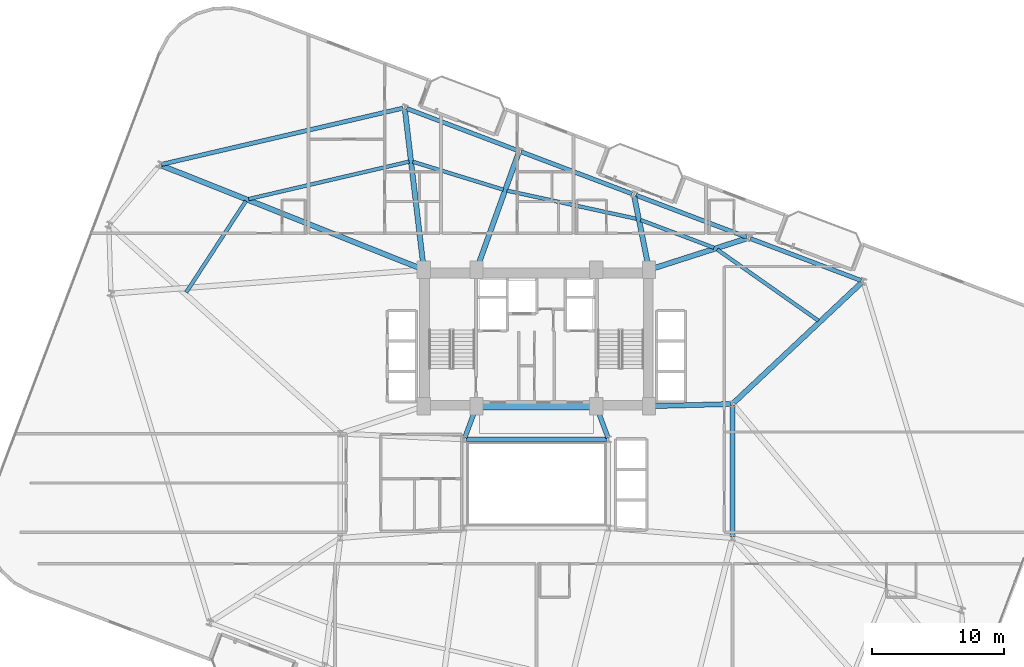
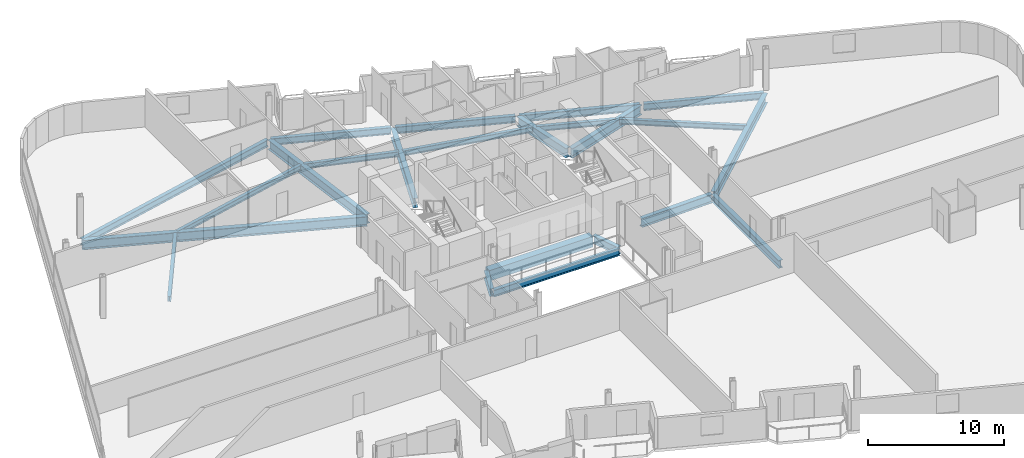
# One storey, part 9 of 24: 23 beams.
"""IFC4 building model written with IfcOpenShell, lengths in metres."""

import ifcopenshell
import ifcopenshell.guid

model = None  # the IFC model being written
_history = None  # IfcOwnerHistory: only IFC2X3 demands one
_inside = {}  # id of a spatial element -> (the spatial element, [elements in it])
_under = {}  # id of a project, library or spatial element -> (it, [spatial elements below it])
_declared = {}  # id of a project -> (the project, [libraries it declares])
_typed = {}  # id of a type object -> (the type object, [elements of that type])
_made_of = {}  # id of a material, layer set ... -> (it, [elements and type objects made of it])


def new_model(schema):
    """Start an empty IFC model of exactly this schema.

    Asked for "IFC4X3", IfcOpenShell would pick the latest addendum, in which some entities
    have other attributes; the version numbers below select the first issue.
    IFC2X3 requires an IfcOwnerHistory on every rooted entity: one is made here for all.
    """
    global model, _history
    if schema == "IFC4X3":
        model = ifcopenshell.file(schema_version=(4, 3, 0, 0))
    else:
        model = ifcopenshell.file(schema=schema)
    _inside.clear()
    _under.clear()
    _declared.clear()
    _typed.clear()
    _made_of.clear()
    _history = None
    if model.schema == "IFC2X3":
        org = make("IfcOrganization", Name="unknown")
        user = make(
            "IfcPersonAndOrganization",
            ThePerson=make("IfcPerson", FamilyName="unknown"),
            TheOrganization=org,
        )
        app = make(
            "IfcApplication",
            ApplicationDeveloper=org,
            Version="unknown",
            ApplicationFullName="unknown",
            ApplicationIdentifier="unknown",
        )
        _history = make(
            "IfcOwnerHistory",
            OwningUser=user,
            OwningApplication=app,
            ChangeAction="ADDED",
            CreationDate=0,
        )
    return model


def make(cls, **values):
    """One entity of the class cls with the attributes given. An attribute that is None is left unset."""
    return model.create_entity(
        cls, **{name: value for name, value in values.items() if value is not None}
    )


def rooted(cls, **values):
    """An entity with a GlobalId (a new one), such as an element, a storey or a relation."""
    return make(cls, GlobalId=ifcopenshell.guid.new(), OwnerHistory=_history, **values)


def si_unit(unit_type, name, prefix=None):
    """IfcSIUnit, for example si_unit("LENGTHUNIT", "METRE", prefix="MILLI")."""
    return make("IfcSIUnit", UnitType=unit_type, Prefix=prefix, Name=name)


def assignment(units):
    """IfcUnitAssignment: the units of a project."""
    return None if units is None else make("IfcUnitAssignment", Units=units)


def point(xyz):
    """IfcCartesianPoint."""
    return None if xyz is None else make("IfcCartesianPoint", Coordinates=xyz)


def direction(xyz):
    """IfcDirection."""
    return None if xyz is None else make("IfcDirection", DirectionRatios=xyz)


def frame(location, z_axis=None, x_axis=None):
    """IfcAxis2Placement3D, a coordinate frame: its origin and axes. An axis left out is left unset."""
    return make(
        "IfcAxis2Placement3D",
        Location=point(location),
        Axis=direction(z_axis),
        RefDirection=direction(x_axis),
    )


def frame_2d(location, x_axis=None):
    """IfcAxis2Placement2D, a coordinate frame in the plane: its origin and x axis."""
    return make(
        "IfcAxis2Placement2D", Location=point(location), RefDirection=direction(x_axis)
    )


def origin():
    """The frame at (0, 0, 0) with its axes left unset."""
    return frame((0.0, 0.0, 0.0))


def origin_2d():
    """The frame at (0, 0) in the plane with its x axis left unset."""
    return frame_2d((0.0, 0.0))


def place(relative_to, where):
    """IfcLocalPlacement: puts the frame where relative to a parent placement (None: the world)."""
    return make(
        "IfcLocalPlacement", PlacementRelTo=relative_to, RelativePlacement=where
    )


def context(
    kind, dimensions, precision=None, world=None, true_north=None, identifier=None
):
    """IfcGeometricRepresentationContext, for example the 3D "Model" context."""
    return make(
        "IfcGeometricRepresentationContext",
        ContextIdentifier=identifier,
        ContextType=kind,
        CoordinateSpaceDimension=dimensions,
        Precision=precision,
        WorldCoordinateSystem=world,
        TrueNorth=true_north,
    )


def subcontext(parent, identifier, kind, view, scale=None):
    """IfcGeometricRepresentationSubContext, for example "Body" below "Model"."""
    return make(
        "IfcGeometricRepresentationSubContext",
        ContextIdentifier=identifier,
        ContextType=kind,
        ParentContext=parent,
        TargetScale=scale,
        TargetView=view,
    )


def project(units=None, contexts=None):
    """IfcProject with its units and contexts."""
    return rooted(
        "IfcProject",
        Name="project",
        RepresentationContexts=contexts,
        UnitsInContext=assignment(units),
    )


def spatial(cls, under=None, at=None, **own):
    """A site, building, storey or space (cls), placed at a placement, below another one or the project."""
    s = rooted(cls, ObjectPlacement=at, **own)
    if under is not None:
        _under.setdefault(under.id(), (under, []))[1].append(s)
    return s


def profile(cls, at=None, kind="AREA", **sizes):
    """A parametric profile (cls). Its sizes go by their IFC names, for example OverallWidth=200.0."""
    return make(cls, ProfileType=kind, Position=at, **sizes)


def rectangle(**sizes):
    """IfcRectangleProfileDef."""
    return profile("IfcRectangleProfileDef", **sizes)


def i_section(**sizes):
    """IfcIShapeProfileDef."""
    return profile("IfcIShapeProfileDef", **sizes)


def extrude(swept, where, along, depth):
    """IfcExtrudedAreaSolid: the profile swept, set in the frame where, extruded along a direction by depth."""
    return make(
        "IfcExtrudedAreaSolid",
        SweptArea=swept,
        Position=where,
        ExtrudedDirection=direction(along),
        Depth=depth,
    )


def shape(context_of_items, identifier, shape_type, items):
    """IfcShapeRepresentation: the items that make up one representation, for example the "Body"."""
    return make(
        "IfcShapeRepresentation",
        ContextOfItems=context_of_items,
        RepresentationIdentifier=identifier,
        RepresentationType=shape_type,
        Items=items,
    )


def material(Name=None, Category=None):
    """IfcMaterial."""
    return make("IfcMaterial", Name=Name, Category=Category)


def material_profile(
    of_material, cross_section, Name=None, Category=None, Priority=None
):
    """IfcMaterialProfile: a cross section and its material."""
    return make(
        "IfcMaterialProfile",
        Name=Name,
        Material=of_material,
        Profile=cross_section,
        Priority=Priority,
        Category=Category,
    )


def profile_set(profiles, Name=None, composite=None):
    """IfcMaterialProfileSet."""
    return make(
        "IfcMaterialProfileSet",
        Name=Name,
        MaterialProfiles=profiles,
        CompositeProfile=composite,
    )


def made_of(thing, what):
    """Note that an element or type object is made of a material, layer set ...; save() writes the relation."""
    if what is not None:
        _made_of.setdefault(what.id(), (what, []))[1].append(thing)
    return thing


def type_object(cls, material=None, **own):
    """A type object (cls), such as IfcWallType, which elements share."""
    return made_of(rooted(cls, **own), material)


def element(
    cls,
    number,
    at=None,
    inside=None,
    cuts=None,
    type_object=None,
    material=None,
    context=None,
    identifier="Body",
    shape_type=None,
    held_by="IfcProductDefinitionShape",
    body=None,
    shapes=None,
    **own,
):
    """One element of the class cls, such as IfcWall. Its Tag is "e" and its number.

    at: its placement. inside: the storey or other place that contains it. cuts: it is an
    opening in that element (IfcRelVoidsElement). A single representation is given by context,
    identifier, shape_type and body (its items); several are given by shapes. held_by: the class
    of the entity that holds the representations. save() writes the other relations.
    """
    e = rooted(cls, Tag="e%d" % number, ObjectPlacement=at, **own)
    if body is not None:
        shapes = [shape(context, identifier, shape_type, body)]
    if shapes is not None:
        e.Representation = make(held_by, Representations=shapes)
    if inside is not None:
        _inside.setdefault(inside.id(), (inside, []))[1].append(e)
    if cuts is not None:
        rooted(
            "IfcRelVoidsElement", RelatingBuildingElement=cuts, RelatedOpeningElement=e
        )
    if type_object is not None:
        _typed.setdefault(type_object.id(), (type_object, []))[1].append(e)
    return made_of(e, material)


def aggregate(whole, parts):
    """IfcRelAggregates: a whole, such as a stair, and the parts it consists of."""
    return rooted("IfcRelAggregates", RelatingObject=whole, RelatedObjects=parts)


def save(model, path):
    """Write the relations noted so far, then the file.

    IfcRelAggregates (storeys below a building ...), IfcRelContainedInSpatialStructure (elements
    in a storey), IfcRelDefinesByType, IfcRelAssociatesMaterial and IfcRelDeclares: one each for
    every whole, place, type object, material and project.
    """
    for whole, parts in _under.values():
        aggregate(whole, parts)
    for where, things in _inside.values():
        rooted(
            "IfcRelContainedInSpatialStructure",
            RelatedElements=things,
            RelatingStructure=where,
        )
    for kind, things in _typed.values():
        rooted("IfcRelDefinesByType", RelatedObjects=things, RelatingType=kind)
    for what, things in _made_of.values():
        rooted("IfcRelAssociatesMaterial", RelatedObjects=things, RelatingMaterial=what)
    for by, libraries in _declared.values():
        rooted("IfcRelDeclares", RelatingContext=by, RelatedDefinitions=libraries)
    model.write(path)


model = new_model("IFC4")

# Units and contexts
model_context = context("Model", 3, precision=1e-05, world=origin(), true_north=direction((0.0, 1.0)))
body_context = subcontext(model_context, "Body", "Model", "MODEL_VIEW")
ifc_project = project(units=[si_unit("LENGTHUNIT", "METRE"), si_unit("AREAUNIT", "SQUARE_METRE"), si_unit("VOLUMEUNIT", "CUBIC_METRE"), si_unit("PLANEANGLEUNIT", "RADIAN"), si_unit("MASSUNIT", "GRAM", prefix="KILO")], contexts=[model_context])

# Site, building, storey
site_placement = place(None, origin())
site = spatial("IfcSite", under=ifc_project, at=site_placement, CompositionType="ELEMENT")
building_placement = place(site_placement, origin())
building = spatial("IfcBuilding", under=site, at=building_placement, Name="Varnelok Gate Tower", CompositionType="ELEMENT")
storey_placement = place(building_placement, frame((0.0, 0.0, 98.39990234375)))
storey = spatial("IfcBuildingStorey", under=building, at=storey_placement, Name="L24", CompositionType="ELEMENT", Elevation=98.39990234375)

# Beams
ifc_material_1 = material(Name="Structural Steel ASTM A992 Grade 50", Category="steel")
ifc_material_profile_1 = material_profile(ifc_material_1, i_section(OverallWidth=0.280029296875, OverallDepth=0.462890625, WebThickness=0.0107421875, FlangeThickness=0.017333984375, FilletRadius=0.014892578125, at=origin_2d()), Name="W18X76")
ifc_profile_set_1 = profile_set([ifc_material_profile_1], Name="Structural Steel ASTM A992 Grade 50")
beam_type_1 = type_object("IfcBeamType", Name="BM-JST-W18X76", PredefinedType="JOIST", material=ifc_profile_set_1)
beam_1_placement = place(storey_placement, frame((60.490966796875, 35.207275390625, -0.4814453125), z_axis=(-0.818022629428, 0.575186037507, 0.0), x_axis=(-0.575186037507, -0.818022629428, 0.0)))
element("IfcBeam", 1, at=beam_1_placement, inside=storey, type_object=beam_type_1, Name="L24 Sector Floor Joist 7", PredefinedType="JOIST", context=body_context, shape_type="SweptSolid", body=[
    extrude(i_section(OverallWidth=0.280029296875, OverallDepth=0.462890625, WebThickness=0.0107421875, FlangeThickness=0.017333984375, FilletRadius=0.014892578125, at=origin_2d()), origin(), (0.0, 0.0, 1.0), 9.346923828125),
])
beam_2_placement = place(storey_placement, frame((52.599609375, 40.71337890625, -0.4814453125), z_axis=(-0.93521906908, 0.354069615795, 0.0), x_axis=(-0.354069615795, -0.93521906908, 0.0)))
element("IfcBeam", 2, at=beam_2_placement, inside=storey, type_object=beam_type_1, Name="L24 Sector Floor Joist 8", PredefinedType="JOIST", context=body_context, shape_type="SweptSolid", body=[
    extrude(i_section(OverallWidth=0.280029296875, OverallDepth=0.462890625, WebThickness=0.0107421875, FlangeThickness=0.017333984375, FilletRadius=0.014892578125, at=origin_2d()), origin(), (0.0, 0.0, 1.0), 5.91748046875),
])
beam_3_placement = place(storey_placement, frame((46.797607421875, 42.887939453125, -0.4814453125), z_axis=(-0.977172636002, 0.212446792044, 0.0), x_axis=(-0.212446792044, -0.977172636002, 0.0)))
element("IfcBeam", 3, at=beam_3_placement, inside=storey, type_object=beam_type_1, Name="L24 Sector Floor Joist 9", PredefinedType="JOIST", context=body_context, shape_type="SweptSolid", body=[
    extrude(i_section(OverallWidth=0.280029296875, OverallDepth=0.462890625, WebThickness=0.0107421875, FlangeThickness=0.017333984375, FilletRadius=0.014892578125, at=origin_2d()), origin(), (0.0, 0.0, 1.0), 10.048583984375),
])
beam_4_placement = place(storey_placement, frame((36.7080078125, 45.09375, -0.4814453125), z_axis=(-0.955517656655, 0.294933904156, 0.0), x_axis=(-0.294933904156, -0.955517656655, 0.0)))
element("IfcBeam", 4, at=beam_4_placement, inside=storey, type_object=beam_type_1, Name="L24 Sector Floor Joist 10", PredefinedType="JOIST", context=body_context, shape_type="SweptSolid", body=[
    extrude(i_section(OverallWidth=0.280029296875, OverallDepth=0.462890625, WebThickness=0.0107421875, FlangeThickness=0.017333984375, FilletRadius=0.014892578125, at=origin_2d()), origin(), (0.0, 0.0, 1.0), 7.160400390625),
])
beam_5_placement = place(storey_placement, frame((29.595947265625, 47.215087890625, -0.4814453125), z_axis=(-0.973875066894, -0.227084464643, 0.0), x_axis=(0.227084464643, -0.973875066894, 0.0)))
element("IfcBeam", 5, at=beam_5_placement, inside=storey, type_object=beam_type_1, Name="L24 Sector Floor Joist 11", PredefinedType="JOIST", context=body_context, shape_type="SweptSolid", body=[
    extrude(i_section(OverallWidth=0.280029296875, OverallDepth=0.462890625, WebThickness=0.0107421875, FlangeThickness=0.017333984375, FilletRadius=0.014892578125, at=origin_2d()), origin(), (0.0, 0.0, 1.0), 12.442138671875),
])
beam_6_placement = place(storey_placement, frame((17.265869140625, 44.24072265625, -0.4814453125), z_axis=(-0.54656270418, -0.837418181316, 0.0), x_axis=(0.837418181316, -0.54656270418, 0.0)))
element("IfcBeam", 6, at=beam_6_placement, inside=storey, type_object=beam_type_1, Name="L24 Sector Floor Joist 12", PredefinedType="JOIST", context=body_context, shape_type="SweptSolid", body=[
    extrude(i_section(OverallWidth=0.280029296875, OverallDepth=0.462890625, WebThickness=0.0107421875, FlangeThickness=0.017333984375, FilletRadius=0.014892578125, at=origin_2d()), origin(), (0.0, 0.0, 1.0), 8.23095703125),
])
ifc_material_2 = material(Name="Concrete C60/75", Category="concrete")
ifc_material_profile_2 = material_profile(ifc_material_2, rectangle(XDim=0.60009765625, YDim=0.949951171875, at=origin_2d()), Name="RC950X600")
ifc_profile_set_2 = profile_set([ifc_material_profile_2], Name="Concrete C60/75")
beam_type_2 = type_object("IfcBeamType", Name="BM-LNT-RC950", PredefinedType="LINTEL", material=ifc_profile_set_2)
beam_7_placement = place(storey_placement, frame((34.800048828125, 28.75, -0.724853515625), z_axis=(1.0, 0.0, 0.0), x_axis=(0.0, 1.0, 0.0)))
element("IfcBeam", 7, at=beam_7_placement, inside=storey, type_object=beam_type_2, Name="L24 Core-Atrium Spine Beam 7", PredefinedType="LINTEL", context=body_context, shape_type="SweptSolid", body=[
    extrude(rectangle(XDim=0.60009765625, YDim=0.949951171875, at=origin_2d()), origin(), (0.0, 0.0, 1.0), 8.800048828125),
])
ifc_material_profile_3 = material_profile(ifc_material_1, i_section(OverallWidth=0.35498046875, OverallDepth=0.696044921875, WebThickness=0.015380859375, FlangeThickness=0.02490234375, FilletRadius=0.02001953125, at=origin_2d()), Name="W27X146")
ifc_profile_set_3 = profile_set([ifc_material_profile_3], Name="Structural Steel ASTM A992 Grade 50")
beam_type_3 = type_object("IfcBeamType", Name="BM-PRI-W27X146", PredefinedType="BEAM", material=ifc_profile_set_3)
for number, where, z_axis, x_axis, name in (
    (8, (33.791748046875, 26.362548828125, -0.597900390625), (0.348719329408, 0.937227202602, 0.0), (-0.937227202602, 0.348719329408, 0.0), "L24 Core-Atrium Spine Beam 12"),
    (9, (44.608154296875, 26.362548828125, -0.597900390625), (-0.348719329408, 0.937227202602, 0.0), (-0.937227202602, -0.348719329408, 0.0), "L24 Core-Atrium Spine Beam 13"),
):
    element("IfcBeam", number, at=place(storey_placement, frame(where, z_axis=z_axis, x_axis=x_axis)), inside=storey, type_object=beam_type_3, Name=name, PredefinedType="BEAM", context=body_context, shape_type="SweptSolid", body=[
        extrude(i_section(OverallWidth=0.35498046875, OverallDepth=0.696044921875, WebThickness=0.015380859375, FlangeThickness=0.02490234375, FilletRadius=0.02001953125, at=origin_2d()), origin(), (0.0, 0.0, 1.0), 2.42724609375),
    ])
beam_8_placement = place(storey_placement, frame((54.0, 18.919921875, -0.597900390625), z_axis=(0.0, 1.0, 0.0), x_axis=(-1.0, 0.0, 0.0)))
element("IfcBeam", 10, at=beam_8_placement, inside=storey, type_object=beam_type_3, Name="L24 Core-Atrium Spine Beam 20", PredefinedType="BEAM", context=body_context, shape_type="SweptSolid", body=[
    extrude(i_section(OverallWidth=0.35498046875, OverallDepth=0.696044921875, WebThickness=0.015380859375, FlangeThickness=0.02490234375, FilletRadius=0.02001953125, at=origin_2d()), origin(), (0.0, 0.0, 1.0), 9.880126953125),
])
ifc_material_profile_4 = material_profile(ifc_material_1, i_section(OverallWidth=0.381103515625, OverallDepth=0.77294921875, WebThickness=0.0166015625, FlangeThickness=0.027099609375, FilletRadius=0.02197265625, at=origin_2d()), Name="W30X173")
ifc_profile_set_4 = profile_set([ifc_material_profile_4], Name="Structural Steel ASTM A992 Grade 50")
beam_type_4 = type_object("IfcBeamType", Name="BM-PRI-W30X173", PredefinedType="BEAM", material=ifc_profile_set_4)
beam_9_placement = place(storey_placement, frame((47.820068359375, 28.753173828125, -0.636474609375), z_axis=(0.999635880609, 0.026983443053, 0.0), x_axis=(-0.026983443053, 0.999635880609, 0.0)))
element("IfcBeam", 11, at=beam_9_placement, inside=storey, type_object=beam_type_4, Name="L24 Core-Atrium Spine Beam 19", PredefinedType="BEAM", context=body_context, shape_type="SweptSolid", body=[
    extrude(i_section(OverallWidth=0.381103515625, OverallDepth=0.77294921875, WebThickness=0.0166015625, FlangeThickness=0.027099609375, FilletRadius=0.02197265625, at=origin_2d()), origin(), (0.0, 0.0, 1.0), 6.06201171875),
])
ifc_material_profile_5 = material_profile(ifc_material_1, i_section(OverallWidth=0.39892578125, OverallDepth=0.85498046875, WebThickness=0.018310546875, FlangeThickness=0.029296875, FilletRadius=0.02392578125, at=origin_2d()), Name="W33X201")
ifc_profile_set_5 = profile_set([ifc_material_profile_5], Name="Structural Steel ASTM A992 Grade 50")
beam_type_5 = type_object("IfcBeamType", Name="BM-PRI-W33X201", PredefinedType="BEAM", material=ifc_profile_set_5)
beam_10_placement = place(storey_placement, frame((54.109375, 29.022705078125, -0.677490234375), z_axis=(0.728763782129, 0.684765178624, 0.0), x_axis=(-0.684765178624, 0.728763782129, 0.0)))
element("IfcBeam", 12, at=beam_10_placement, inside=storey, type_object=beam_type_5, Name="L24 Radial Floor Girder 9", PredefinedType="BEAM", context=body_context, shape_type="SweptSolid", body=[
    extrude(i_section(OverallWidth=0.39892578125, OverallDepth=0.85498046875, WebThickness=0.018310546875, FlangeThickness=0.029296875, FilletRadius=0.02392578125, at=origin_2d()), origin(), (0.0, 0.0, 1.0), 13.228515625),
])
beam_11_placement = place(storey_placement, frame((47.8427734375, 39.095703125, -0.677490234375), z_axis=(0.952189173648, 0.305509046656, 0.0), x_axis=(-0.305509046656, 0.952189173648, 0.0)))
element("IfcBeam", 13, at=beam_11_placement, inside=storey, type_object=beam_type_5, Name="L24 Radial Floor Girder 10", PredefinedType="BEAM", context=body_context, shape_type="SweptSolid", body=[
    extrude(i_section(OverallWidth=0.39892578125, OverallDepth=0.85498046875, WebThickness=0.018310546875, FlangeThickness=0.029296875, FilletRadius=0.02392578125, at=origin_2d()), origin(), (0.0, 0.0, 1.0), 7.585205078125),
])
beam_12_placement = place(storey_placement, frame((47.67041015625, 39.197021484375, -0.677490234375), z_axis=(-0.19708105208, 0.980387198463, 0.0), x_axis=(-0.980387198463, -0.19708105208, 0.0)))
element("IfcBeam", 14, at=beam_12_placement, inside=storey, type_object=beam_type_5, Name="L24 Radial Floor Girder 11", PredefinedType="BEAM", context=body_context, shape_type="SweptSolid", body=[
    extrude(i_section(OverallWidth=0.39892578125, OverallDepth=0.85498046875, WebThickness=0.018310546875, FlangeThickness=0.029296875, FilletRadius=0.02392578125, at=origin_2d()), origin(), (0.0, 0.0, 1.0), 5.497802734375),
])
beam_13_placement = place(storey_placement, frame((34.730712890625, 39.191162109375, -0.677490234375), z_axis=(0.338850703631, 0.940840156801, 0.0), x_axis=(-0.940840156801, 0.338850703631, 0.0)))
element("IfcBeam", 15, at=beam_13_placement, inside=storey, type_object=beam_type_5, Name="L24 Radial Floor Girder 12", PredefinedType="BEAM", context=body_context, shape_type="SweptSolid", body=[
    extrude(i_section(OverallWidth=0.39892578125, OverallDepth=0.85498046875, WebThickness=0.018310546875, FlangeThickness=0.029296875, FilletRadius=0.02392578125, at=origin_2d()), origin(), (0.0, 0.0, 1.0), 9.222412109375),
])
beam_14_placement = place(storey_placement, frame((30.682373046875, 39.198974609375, -0.677490234375), z_axis=(-0.117226632165, 0.993105189147, 0.0), x_axis=(-0.993105189147, -0.117226632165, 0.0)))
element("IfcBeam", 16, at=beam_14_placement, inside=storey, type_object=beam_type_5, Name="L24 Radial Floor Girder 13", PredefinedType="BEAM", context=body_context, shape_type="SweptSolid", body=[
    extrude(i_section(OverallWidth=0.39892578125, OverallDepth=0.85498046875, WebThickness=0.018310546875, FlangeThickness=0.029296875, FilletRadius=0.02392578125, at=origin_2d()), origin(), (0.0, 0.0, 1.0), 12.018798828125),
])
beam_15_placement = place(storey_placement, frame((30.560546875, 39.10546875, -0.677490234375), z_axis=(-0.929316441243, 0.369284378271, 0.0), x_axis=(-0.369284378271, -0.929316441243, 0.0)))
element("IfcBeam", 17, at=beam_15_placement, inside=storey, type_object=beam_type_5, Name="L24 Radial Floor Girder 14", PredefinedType="BEAM", context=body_context, shape_type="SweptSolid", body=[
    extrude(i_section(OverallWidth=0.39892578125, OverallDepth=0.85498046875, WebThickness=0.018310546875, FlangeThickness=0.029296875, FilletRadius=0.02392578125, at=origin_2d()), origin(), (0.0, 0.0, 1.0), 21.153076171875),
])
ifc_material_profile_6 = material_profile(ifc_material_1, i_section(OverallWidth=0.323974609375, OverallDepth=0.611083984375, WebThickness=0.0126953125, FlangeThickness=0.01904296875, FilletRadius=0.01806640625, at=origin_2d()), Name="W24X104")
ifc_profile_set_6 = profile_set([ifc_material_profile_6], Name="Structural Steel ASTM A992 Grade 50")
beam_type_6 = type_object("IfcBeamType", Name="BM-SPN-W24X104", PredefinedType="SPANDREL", material=ifc_profile_set_6)
beam_16_placement = place(storey_placement, frame((33.8701171875, 26.25, -0.555419921875), z_axis=(1.0, 0.0, 0.0), x_axis=(0.0, 1.0, 0.0)))
element("IfcBeam", 18, at=beam_16_placement, inside=storey, type_object=beam_type_6, Name="L24 Core-Atrium Spine Beam 9", PredefinedType="SPANDREL", context=body_context, shape_type="SweptSolid", body=[
    extrude(i_section(OverallWidth=0.323974609375, OverallDepth=0.611083984375, WebThickness=0.0126953125, FlangeThickness=0.01904296875, FilletRadius=0.01806640625, at=origin_2d()), origin(), (0.0, 0.0, 1.0), 10.659912109375),
])
beam_17_placement = place(storey_placement, frame((63.71875, 38.23681640625, -0.555419921875), z_axis=(-0.935220356141, 0.354066216208, 0.0), x_axis=(-0.354066216208, -0.935220356141, 0.0)))
element("IfcBeam", 19, at=beam_17_placement, inside=storey, type_object=beam_type_6, Name="L24 Perimeter Spandrel Beam 9", PredefinedType="SPANDREL", context=body_context, shape_type="SweptSolid", body=[
    extrude(i_section(OverallWidth=0.323974609375, OverallDepth=0.611083984375, WebThickness=0.0126953125, FlangeThickness=0.01904296875, FilletRadius=0.01806640625, at=origin_2d()), origin(), (0.0, 0.0, 1.0), 8.9501953125),
])
for number, where, z_axis, x_axis, name in (
    (20, (55.06787109375, 41.511962890625, -0.555419921875), (-0.935216936382, 0.354075248928, 0.0), (-0.354075248928, -0.935216936382, 0.0), "L24 Perimeter Spandrel Beam 10"),
    (21, (46.4169921875, 44.787109375, -0.555419921875), (-0.935225969099, 0.354051389947, 0.0), (-0.354051389947, -0.935225969099, 0.0), "L24 Perimeter Spandrel Beam 11"),
):
    element("IfcBeam", number, at=place(storey_placement, frame(where, z_axis=z_axis, x_axis=x_axis)), inside=storey, type_object=beam_type_6, Name=name, PredefinedType="SPANDREL", context=body_context, shape_type="SweptSolid", body=[
        extrude(i_section(OverallWidth=0.323974609375, OverallDepth=0.611083984375, WebThickness=0.0126953125, FlangeThickness=0.01904296875, FilletRadius=0.01806640625, at=origin_2d()), origin(), (0.0, 0.0, 1.0), 8.949951171875),
    ])
beam_18_placement = place(storey_placement, frame((37.766357421875, 48.06201171875, -0.555419921875), z_axis=(-0.935220356141, 0.354066216208, 0.0), x_axis=(-0.354066216208, -0.935220356141, 0.0)))
element("IfcBeam", 22, at=beam_18_placement, inside=storey, type_object=beam_type_6, Name="L24 Perimeter Spandrel Beam 12", PredefinedType="SPANDREL", context=body_context, shape_type="SweptSolid", body=[
    extrude(i_section(OverallWidth=0.323974609375, OverallDepth=0.611083984375, WebThickness=0.0126953125, FlangeThickness=0.01904296875, FilletRadius=0.01806640625, at=origin_2d()), origin(), (0.0, 0.0, 1.0), 8.9501953125),
])
beam_19_placement = place(storey_placement, frame((29.109619140625, 51.25, -0.555419921875), z_axis=(-0.973877429001, -0.227074334266, 0.0), x_axis=(0.227074334266, -0.973877429001, 0.0)))
element("IfcBeam", 23, at=beam_19_placement, inside=storey, type_object=beam_type_6, Name="L24 Perimeter Spandrel Beam 13", PredefinedType="SPANDREL", context=body_context, shape_type="SweptSolid", body=[
    extrude(i_section(OverallWidth=0.323974609375, OverallDepth=0.611083984375, WebThickness=0.0126953125, FlangeThickness=0.01904296875, FilletRadius=0.01806640625, at=origin_2d()), origin(), (0.0, 0.0, 1.0), 18.6884765625),
])

save(model, "model.ifc")
